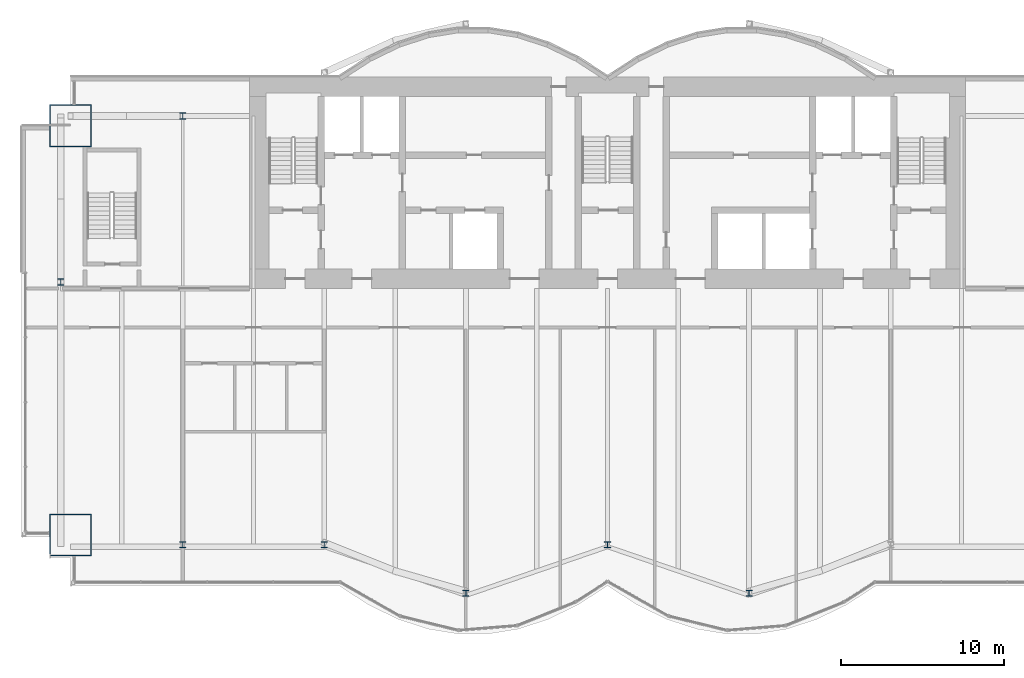
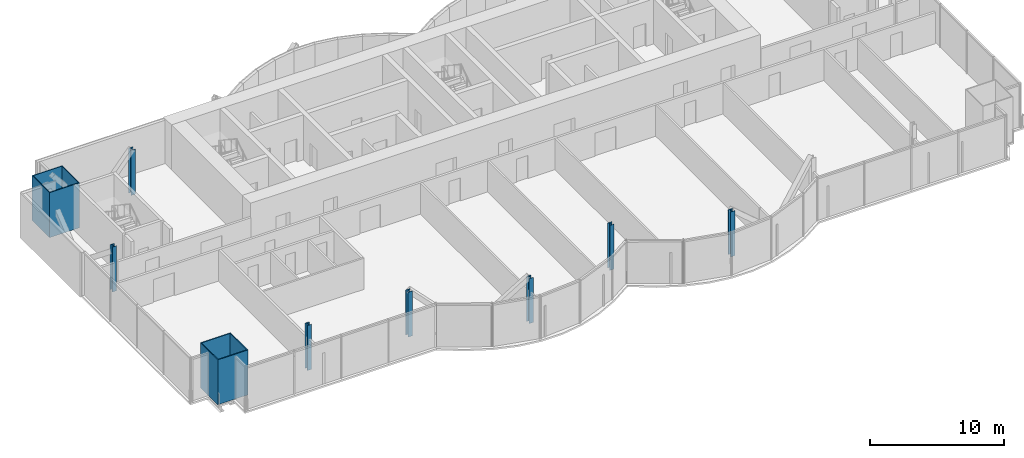
# One storey, part 1 of 20: 9 columns.
"""IFC4 building model written with IfcOpenShell, lengths in metres."""

import ifcopenshell
import ifcopenshell.guid

model = None  # the IFC model being written
_history = None  # IfcOwnerHistory: only IFC2X3 demands one
_inside = {}  # id of a spatial element -> (the spatial element, [elements in it])
_under = {}  # id of a project, library or spatial element -> (it, [spatial elements below it])
_declared = {}  # id of a project -> (the project, [libraries it declares])
_typed = {}  # id of a type object -> (the type object, [elements of that type])
_made_of = {}  # id of a material, layer set ... -> (it, [elements and type objects made of it])


def new_model(schema):
    """Start an empty IFC model of exactly this schema.

    Asked for "IFC4X3", IfcOpenShell would pick the latest addendum, in which some entities
    have other attributes; the version numbers below select the first issue.
    IFC2X3 requires an IfcOwnerHistory on every rooted entity: one is made here for all.
    """
    global model, _history
    if schema == "IFC4X3":
        model = ifcopenshell.file(schema_version=(4, 3, 0, 0))
    else:
        model = ifcopenshell.file(schema=schema)
    _inside.clear()
    _under.clear()
    _declared.clear()
    _typed.clear()
    _made_of.clear()
    _history = None
    if model.schema == "IFC2X3":
        org = make("IfcOrganization", Name="unknown")
        user = make(
            "IfcPersonAndOrganization",
            ThePerson=make("IfcPerson", FamilyName="unknown"),
            TheOrganization=org,
        )
        app = make(
            "IfcApplication",
            ApplicationDeveloper=org,
            Version="unknown",
            ApplicationFullName="unknown",
            ApplicationIdentifier="unknown",
        )
        _history = make(
            "IfcOwnerHistory",
            OwningUser=user,
            OwningApplication=app,
            ChangeAction="ADDED",
            CreationDate=0,
        )
    return model


def make(cls, **values):
    """One entity of the class cls with the attributes given. An attribute that is None is left unset."""
    return model.create_entity(
        cls, **{name: value for name, value in values.items() if value is not None}
    )


def rooted(cls, **values):
    """An entity with a GlobalId (a new one), such as an element, a storey or a relation."""
    return make(cls, GlobalId=ifcopenshell.guid.new(), OwnerHistory=_history, **values)


def si_unit(unit_type, name, prefix=None):
    """IfcSIUnit, for example si_unit("LENGTHUNIT", "METRE", prefix="MILLI")."""
    return make("IfcSIUnit", UnitType=unit_type, Prefix=prefix, Name=name)


def assignment(units):
    """IfcUnitAssignment: the units of a project."""
    return None if units is None else make("IfcUnitAssignment", Units=units)


def point(xyz):
    """IfcCartesianPoint."""
    return None if xyz is None else make("IfcCartesianPoint", Coordinates=xyz)


def direction(xyz):
    """IfcDirection."""
    return None if xyz is None else make("IfcDirection", DirectionRatios=xyz)


def frame(location, z_axis=None, x_axis=None):
    """IfcAxis2Placement3D, a coordinate frame: its origin and axes. An axis left out is left unset."""
    return make(
        "IfcAxis2Placement3D",
        Location=point(location),
        Axis=direction(z_axis),
        RefDirection=direction(x_axis),
    )


def frame_2d(location, x_axis=None):
    """IfcAxis2Placement2D, a coordinate frame in the plane: its origin and x axis."""
    return make(
        "IfcAxis2Placement2D", Location=point(location), RefDirection=direction(x_axis)
    )


def origin():
    """The frame at (0, 0, 0) with its axes left unset."""
    return frame((0.0, 0.0, 0.0))


def origin_2d():
    """The frame at (0, 0) in the plane with its x axis left unset."""
    return frame_2d((0.0, 0.0))


def place(relative_to, where):
    """IfcLocalPlacement: puts the frame where relative to a parent placement (None: the world)."""
    return make(
        "IfcLocalPlacement", PlacementRelTo=relative_to, RelativePlacement=where
    )


def context(
    kind, dimensions, precision=None, world=None, true_north=None, identifier=None
):
    """IfcGeometricRepresentationContext, for example the 3D "Model" context."""
    return make(
        "IfcGeometricRepresentationContext",
        ContextIdentifier=identifier,
        ContextType=kind,
        CoordinateSpaceDimension=dimensions,
        Precision=precision,
        WorldCoordinateSystem=world,
        TrueNorth=true_north,
    )


def subcontext(parent, identifier, kind, view, scale=None):
    """IfcGeometricRepresentationSubContext, for example "Body" below "Model"."""
    return make(
        "IfcGeometricRepresentationSubContext",
        ContextIdentifier=identifier,
        ContextType=kind,
        ParentContext=parent,
        TargetScale=scale,
        TargetView=view,
    )


def project(units=None, contexts=None):
    """IfcProject with its units and contexts."""
    return rooted(
        "IfcProject",
        Name="project",
        RepresentationContexts=contexts,
        UnitsInContext=assignment(units),
    )


def spatial(cls, under=None, at=None, **own):
    """A site, building, storey or space (cls), placed at a placement, below another one or the project."""
    s = rooted(cls, ObjectPlacement=at, **own)
    if under is not None:
        _under.setdefault(under.id(), (under, []))[1].append(s)
    return s


def profile(cls, at=None, kind="AREA", **sizes):
    """A parametric profile (cls). Its sizes go by their IFC names, for example OverallWidth=200.0."""
    return make(cls, ProfileType=kind, Position=at, **sizes)


def hollow_rectangle(**sizes):
    """IfcRectangleHollowProfileDef."""
    return profile("IfcRectangleHollowProfileDef", **sizes)


def i_section(**sizes):
    """IfcIShapeProfileDef."""
    return profile("IfcIShapeProfileDef", **sizes)


def extrude(swept, where, along, depth):
    """IfcExtrudedAreaSolid: the profile swept, set in the frame where, extruded along a direction by depth."""
    return make(
        "IfcExtrudedAreaSolid",
        SweptArea=swept,
        Position=where,
        ExtrudedDirection=direction(along),
        Depth=depth,
    )


def shape(context_of_items, identifier, shape_type, items):
    """IfcShapeRepresentation: the items that make up one representation, for example the "Body"."""
    return make(
        "IfcShapeRepresentation",
        ContextOfItems=context_of_items,
        RepresentationIdentifier=identifier,
        RepresentationType=shape_type,
        Items=items,
    )


def material(Name=None, Category=None):
    """IfcMaterial."""
    return make("IfcMaterial", Name=Name, Category=Category)


def material_profile(
    of_material, cross_section, Name=None, Category=None, Priority=None
):
    """IfcMaterialProfile: a cross section and its material."""
    return make(
        "IfcMaterialProfile",
        Name=Name,
        Material=of_material,
        Profile=cross_section,
        Priority=Priority,
        Category=Category,
    )


def profile_set(profiles, Name=None, composite=None):
    """IfcMaterialProfileSet."""
    return make(
        "IfcMaterialProfileSet",
        Name=Name,
        MaterialProfiles=profiles,
        CompositeProfile=composite,
    )


def made_of(thing, what):
    """Note that an element or type object is made of a material, layer set ...; save() writes the relation."""
    if what is not None:
        _made_of.setdefault(what.id(), (what, []))[1].append(thing)
    return thing


def type_object(cls, material=None, **own):
    """A type object (cls), such as IfcWallType, which elements share."""
    return made_of(rooted(cls, **own), material)


def element(
    cls,
    number,
    at=None,
    inside=None,
    cuts=None,
    type_object=None,
    material=None,
    context=None,
    identifier="Body",
    shape_type=None,
    held_by="IfcProductDefinitionShape",
    body=None,
    shapes=None,
    **own,
):
    """One element of the class cls, such as IfcWall. Its Tag is "e" and its number.

    at: its placement. inside: the storey or other place that contains it. cuts: it is an
    opening in that element (IfcRelVoidsElement). A single representation is given by context,
    identifier, shape_type and body (its items); several are given by shapes. held_by: the class
    of the entity that holds the representations. save() writes the other relations.
    """
    e = rooted(cls, Tag="e%d" % number, ObjectPlacement=at, **own)
    if body is not None:
        shapes = [shape(context, identifier, shape_type, body)]
    if shapes is not None:
        e.Representation = make(held_by, Representations=shapes)
    if inside is not None:
        _inside.setdefault(inside.id(), (inside, []))[1].append(e)
    if cuts is not None:
        rooted(
            "IfcRelVoidsElement", RelatingBuildingElement=cuts, RelatedOpeningElement=e
        )
    if type_object is not None:
        _typed.setdefault(type_object.id(), (type_object, []))[1].append(e)
    return made_of(e, material)


def aggregate(whole, parts):
    """IfcRelAggregates: a whole, such as a stair, and the parts it consists of."""
    return rooted("IfcRelAggregates", RelatingObject=whole, RelatedObjects=parts)


def save(model, path):
    """Write the relations noted so far, then the file.

    IfcRelAggregates (storeys below a building ...), IfcRelContainedInSpatialStructure (elements
    in a storey), IfcRelDefinesByType, IfcRelAssociatesMaterial and IfcRelDeclares: one each for
    every whole, place, type object, material and project.
    """
    for whole, parts in _under.values():
        aggregate(whole, parts)
    for where, things in _inside.values():
        rooted(
            "IfcRelContainedInSpatialStructure",
            RelatedElements=things,
            RelatingStructure=where,
        )
    for kind, things in _typed.values():
        rooted("IfcRelDefinesByType", RelatedObjects=things, RelatingType=kind)
    for what, things in _made_of.values():
        rooted("IfcRelAssociatesMaterial", RelatedObjects=things, RelatingMaterial=what)
    for by, libraries in _declared.values():
        rooted("IfcRelDeclares", RelatingContext=by, RelatedDefinitions=libraries)
    model.write(path)


model = new_model("IFC4")

# Units and contexts
model_context = context("Model", 3, precision=1e-05, world=origin(), true_north=direction((0.0, 1.0)))
body_context = subcontext(model_context, "Body", "Model", "MODEL_VIEW")
ifc_project = project(units=[si_unit("LENGTHUNIT", "METRE"), si_unit("AREAUNIT", "SQUARE_METRE"), si_unit("VOLUMEUNIT", "CUBIC_METRE"), si_unit("PLANEANGLEUNIT", "RADIAN"), si_unit("MASSUNIT", "GRAM", prefix="KILO")], contexts=[model_context])

# Site, building, storey
site_placement = place(None, origin())
site = spatial("IfcSite", under=ifc_project, at=site_placement, CompositionType="ELEMENT")
building_placement = place(site_placement, origin())
building = spatial("IfcBuilding", under=site, at=building_placement, Name="Bicima Exchange Tower", CompositionType="ELEMENT")
storey_placement = place(building_placement, frame((0.0, 0.0, 223.699951171875)))
storey = spatial("IfcBuildingStorey", under=building, at=storey_placement, Name="L50", CompositionType="ELEMENT", Elevation=223.699951171875)

# Columns
ifc_material_1 = material(Name="Steel ASTM A572 Gr 50", Category="steel")
ifc_material_profile_1 = material_profile(ifc_material_1, hollow_rectangle(XDim=2.60009765625, YDim=2.60009765625, WallThickness=0.070068359375, at=origin_2d()))
ifc_profile_set_1 = profile_set([ifc_material_profile_1], Name="Steel ASTM A572 Gr 50")
column_type_1 = type_object("IfcColumnType", Name="Mega column BOX 2600x2600x70", PredefinedType="COLUMN", material=ifc_profile_set_1)
for number, where, z_axis, x_axis, name in (
    (1, (-33.0, -28.14208984375, 0.0), (0.0, 0.0, 1.0), (1.0, 0.0, 0.0), "Mega column mega-33.0f"),
    (2, (-33.0, -3.0, 0.0), (0.0, 0.0, 1.0), (1.0, 0.0, 0.0), "Mega column mega-33.0r"),
):
    element("IfcColumn", number, at=place(storey_placement, frame(where, z_axis=z_axis, x_axis=x_axis)), inside=storey, type_object=column_type_1, Name=name, PredefinedType="COLUMN", context=body_context, shape_type="SweptSolid", body=[
        extrude(hollow_rectangle(XDim=2.60009765625, YDim=2.60009765625, WallThickness=0.070068359375, at=origin_2d()), origin(), (0.0, 0.0, 1.0), 4.10009765625),
    ])
ifc_material_2 = material(Name="Steel ASTM A992 Gr 50", Category="steel")
ifc_material_profile_2 = material_profile(ifc_material_2, i_section(OverallWidth=0.373291015625, OverallDepth=0.373291015625, WebThickness=0.016357421875, FlangeThickness=0.026123046875, at=origin_2d()))
ifc_profile_set_2 = profile_set([ifc_material_profile_2], Name="Steel ASTM A992 Gr 50")
column_type_2 = type_object("IfcColumnType", Name="Perimeter column W14x132", PredefinedType="COLUMN", material=ifc_profile_set_2)
for number, where, z_axis, x_axis, name in (
    (3, (-26.10009765625, -28.741943359375, 0.0), (0.0, 0.0, 1.0), (1.0, 0.0, 0.0), "Perimeter column grav-26.1f"),
    (4, (-26.10009765625, -2.39990234375, 0.0), (0.0, 0.0, 1.0), (1.0, 0.0, 0.0), "Perimeter column grav-26.1r"),
    (5, (-17.39990234375, -28.741943359375, 0.0), (0.0, 0.0, 1.0), (1.0, 0.0, 0.0), "Perimeter column grav-17.4f"),
    (6, (-8.699951171875, -31.733154296875, 0.0), (0.0, 0.0, 1.0), (1.0, 0.0, 0.0), "Perimeter column grav-8.7f"),
    (7, (0.0, -28.741943359375, 0.0), (0.0, 0.0, 1.0), (1.0, 0.0, 0.0), "Perimeter column grav-0.0f"),
    (8, (8.699951171875, -31.733154296875, 0.0), (0.0, 0.0, 1.0), (1.0, 0.0, 0.0), "Perimeter column grav+8.7f"),
    (9, (-33.60009765625, -12.60009765625, 0.0), (0.0, 0.0, 1.0), (1.0, 0.0, 0.0), "End column end-33.6e"),
):
    element("IfcColumn", number, at=place(storey_placement, frame(where, z_axis=z_axis, x_axis=x_axis)), inside=storey, type_object=column_type_2, Name=name, PredefinedType="COLUMN", context=body_context, shape_type="SweptSolid", body=[
        extrude(i_section(OverallWidth=0.373291015625, OverallDepth=0.373291015625, WebThickness=0.016357421875, FlangeThickness=0.026123046875, at=origin_2d()), origin(), (0.0, 0.0, 1.0), 4.10009765625),
    ])

save(model, "model.ifc")
